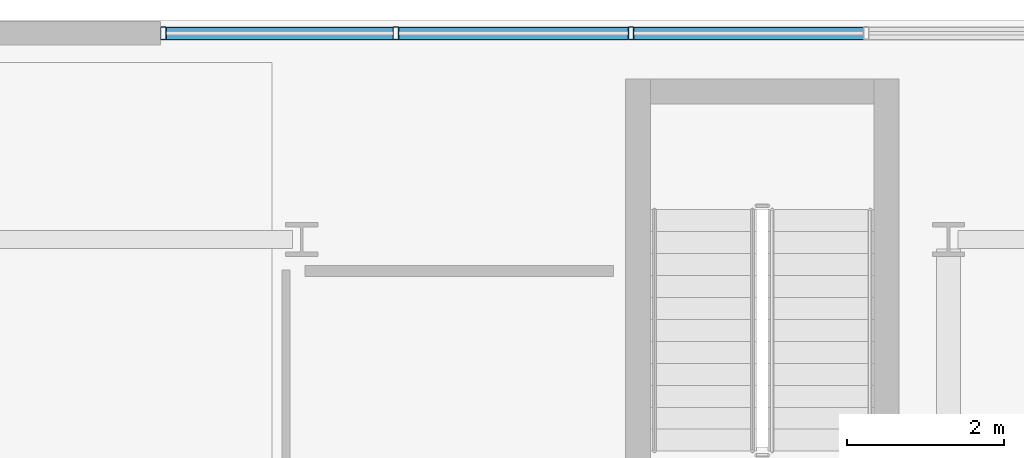
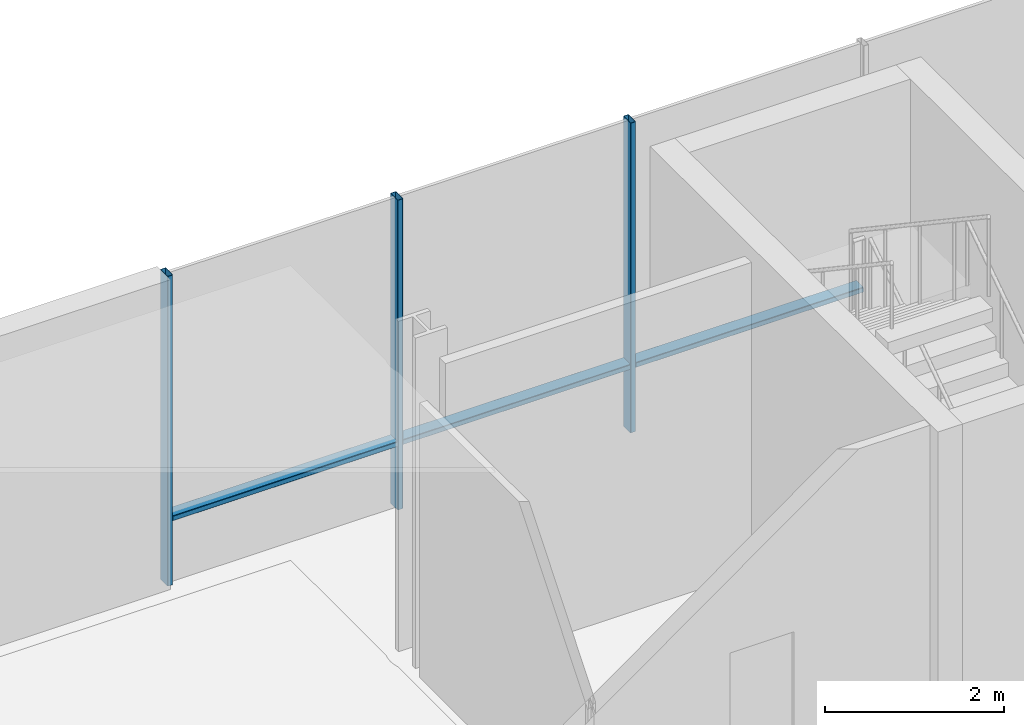
# One storey, part 9 of 25: 6 members, 1 element without a shape of its own.
"""IFC4 building model written with IfcOpenShell, lengths in metres."""

from ifc_helpers import new_model, si_unit, direction, frame, origin, origin_2d, place, context, subcontext, project, spatial, hollow_rectangle, extrude, material, layer, layer_set, material_profile, profile_set, type_object, element, aggregate, save


model = new_model("IFC4")

# Units and contexts
model_context = context("Model", 3, precision=1e-05, world=origin(), true_north=direction((0.0, 1.0)))
body_context = subcontext(model_context, "Body", "Model", "MODEL_VIEW")
ifc_project = project(units=[si_unit("LENGTHUNIT", "METRE"), si_unit("AREAUNIT", "SQUARE_METRE"), si_unit("VOLUMEUNIT", "CUBIC_METRE"), si_unit("PLANEANGLEUNIT", "RADIAN"), si_unit("MASSUNIT", "GRAM", prefix="KILO")], contexts=[model_context])

# Site, building, storey
site_placement = place(None, origin())
site = spatial("IfcSite", under=ifc_project, at=site_placement, CompositionType="ELEMENT")
building_placement = place(site_placement, origin())
building = spatial("IfcBuilding", under=site, at=building_placement, Name="Brevholm Reach", CompositionType="ELEMENT")
storey_placement = place(building_placement, frame((0.0, 0.0, 4.5)))
storey = spatial("IfcBuildingStorey", under=building, at=storey_placement, Name="L01", CompositionType="ELEMENT", Elevation=4.5)

# Curtain wall, members
ifc_material_1 = material(Name="Dark Anodised Aluminium 6063-T6 and Solar-Control Glass", Category="aluminium")
ifc_layer = layer(ifc_material_1, 0.1650390625)
ifc_layer_set = layer_set([ifc_layer], Name="Dark Anodised Aluminium 6063-T6 and Solar-Control Glass")
curtain_wall_type = type_object("IfcCurtainWallType", Name="CW-03", PredefinedType="NOTDEFINED", material=ifc_layer_set)
curtain_wall_placement = place(storey_placement, origin())
curtain_wall = element("IfcCurtainWall", 1, at=curtain_wall_placement, inside=storey, type_object=curtain_wall_type, Name="L01 Curtain Wall CW-03", PredefinedType="NOTDEFINED")
ifc_material_2 = material(Name="Dark Anodised Aluminium 6063-T6", Category="aluminium")
ifc_material_profile_1 = material_profile(ifc_material_2, hollow_rectangle(XDim=0.070068359375, YDim=0.1650390625, WallThickness=0.0048828125, InnerFilletRadius=0.0048828125, OuterFilletRadius=0.010009765625, at=origin_2d()), Name="RHS 165x70x5")
ifc_profile_set_1 = profile_set([ifc_material_profile_1], Name="Dark Anodised Aluminium 6063-T6")
member_type_1 = type_object("IfcMemberType", Name="CWM-165", PredefinedType="MULLION", material=ifc_profile_set_1)
member_1_placement = place(storey_placement, frame((28.235107421875, 39.830078125, 0.0), z_axis=(0.0, 0.0, 1.0), x_axis=(1.0, 0.0, 0.0)))
member_1 = element("IfcMember", 2, at=member_1_placement, type_object=member_type_1, Name="CM-165 Mullion 1", PredefinedType="MULLION", context=body_context, shape_type="SweptSolid", body=[
    extrude(hollow_rectangle(XDim=0.070068359375, YDim=0.1650390625, WallThickness=0.0048828125, InnerFilletRadius=0.0048828125, OuterFilletRadius=0.010009765625, at=origin_2d()), origin(), (0.0, 0.0, 1.0), 4.219970703125),
])
member_2_placement = place(storey_placement, frame((31.199951171875, 39.830078125, 0.0), z_axis=(0.0, 0.0, 1.0), x_axis=(1.0, 0.0, 0.0)))
member_2 = element("IfcMember", 3, at=member_2_placement, type_object=member_type_1, Name="CM-165 Mullion 2", PredefinedType="MULLION", context=body_context, shape_type="SweptSolid", body=[
    extrude(hollow_rectangle(XDim=0.070068359375, YDim=0.1650390625, WallThickness=0.0048828125, InnerFilletRadius=0.0048828125, OuterFilletRadius=0.010009765625, at=origin_2d()), origin(), (0.0, 0.0, 1.0), 4.219970703125),
])
member_3_placement = place(storey_placement, frame((34.199951171875, 39.830078125, 0.0), z_axis=(0.0, 0.0, 1.0), x_axis=(1.0, 0.0, 0.0)))
member_3 = element("IfcMember", 4, at=member_3_placement, type_object=member_type_1, Name="CM-165 Mullion 3", PredefinedType="MULLION", context=body_context, shape_type="SweptSolid", body=[
    extrude(hollow_rectangle(XDim=0.070068359375, YDim=0.1650390625, WallThickness=0.0048828125, InnerFilletRadius=0.0048828125, OuterFilletRadius=0.010009765625, at=origin_2d()), origin(), (0.0, 0.0, 1.0), 4.219970703125),
])
ifc_material_3 = material(Name="Dark Anodised Aluminium 6063-T6", Category="aluminium")
ifc_material_profile_2 = material_profile(ifc_material_3, hollow_rectangle(XDim=0.070068359375, YDim=0.1650390625, WallThickness=0.0048828125, InnerFilletRadius=0.0048828125, OuterFilletRadius=0.010009765625, at=origin_2d()), Name="RHS 165x70x5")
ifc_profile_set_2 = profile_set([ifc_material_profile_2], Name="Dark Anodised Aluminium 6063-T6")
member_type_2 = type_object("IfcMemberType", Name="CWT-165", PredefinedType="NOTDEFINED", material=ifc_profile_set_2)
member_4_placement = place(storey_placement, frame((28.27001953125, 39.830078125, 0.89990234375), z_axis=(1.0, 0.0, 0.0), x_axis=(0.0, 0.0, 1.0)))
member_4 = element("IfcMember", 5, at=member_4_placement, type_object=member_type_2, Name="CT-165 Transom 1.1", ObjectType="TRANSOM", PredefinedType="USERDEFINED", context=body_context, shape_type="SweptSolid", body=[
    extrude(hollow_rectangle(XDim=0.070068359375, YDim=0.1650390625, WallThickness=0.0048828125, InnerFilletRadius=0.0048828125, OuterFilletRadius=0.010009765625, at=origin_2d()), origin(), (0.0, 0.0, 1.0), 2.89501953125),
])
member_5_placement = place(storey_placement, frame((31.235107421875, 39.830078125, 0.89990234375), z_axis=(1.0, 0.0, 0.0), x_axis=(0.0, 0.0, 1.0)))
member_5 = element("IfcMember", 6, at=member_5_placement, type_object=member_type_2, Name="CT-165 Transom 2.1", ObjectType="TRANSOM", PredefinedType="USERDEFINED", context=body_context, shape_type="SweptSolid", body=[
    extrude(hollow_rectangle(XDim=0.070068359375, YDim=0.1650390625, WallThickness=0.0048828125, InnerFilletRadius=0.0048828125, OuterFilletRadius=0.010009765625, at=origin_2d()), origin(), (0.0, 0.0, 1.0), 2.929931640625),
])
member_6_placement = place(storey_placement, frame((34.235107421875, 39.830078125, 0.89990234375), z_axis=(1.0, 0.0, 0.0), x_axis=(0.0, 0.0, 1.0)))
member_6 = element("IfcMember", 7, at=member_6_placement, type_object=member_type_2, Name="CT-165 Transom 3.1", ObjectType="TRANSOM", PredefinedType="USERDEFINED", context=body_context, shape_type="SweptSolid", body=[
    extrude(hollow_rectangle(XDim=0.070068359375, YDim=0.1650390625, WallThickness=0.0048828125, InnerFilletRadius=0.0048828125, OuterFilletRadius=0.010009765625, at=origin_2d()), origin(), (0.0, 0.0, 1.0), 2.929931640625),
])
aggregate(curtain_wall, [member_1, member_2, member_3, member_4, member_5, member_6])

save(model, "model.ifc")
